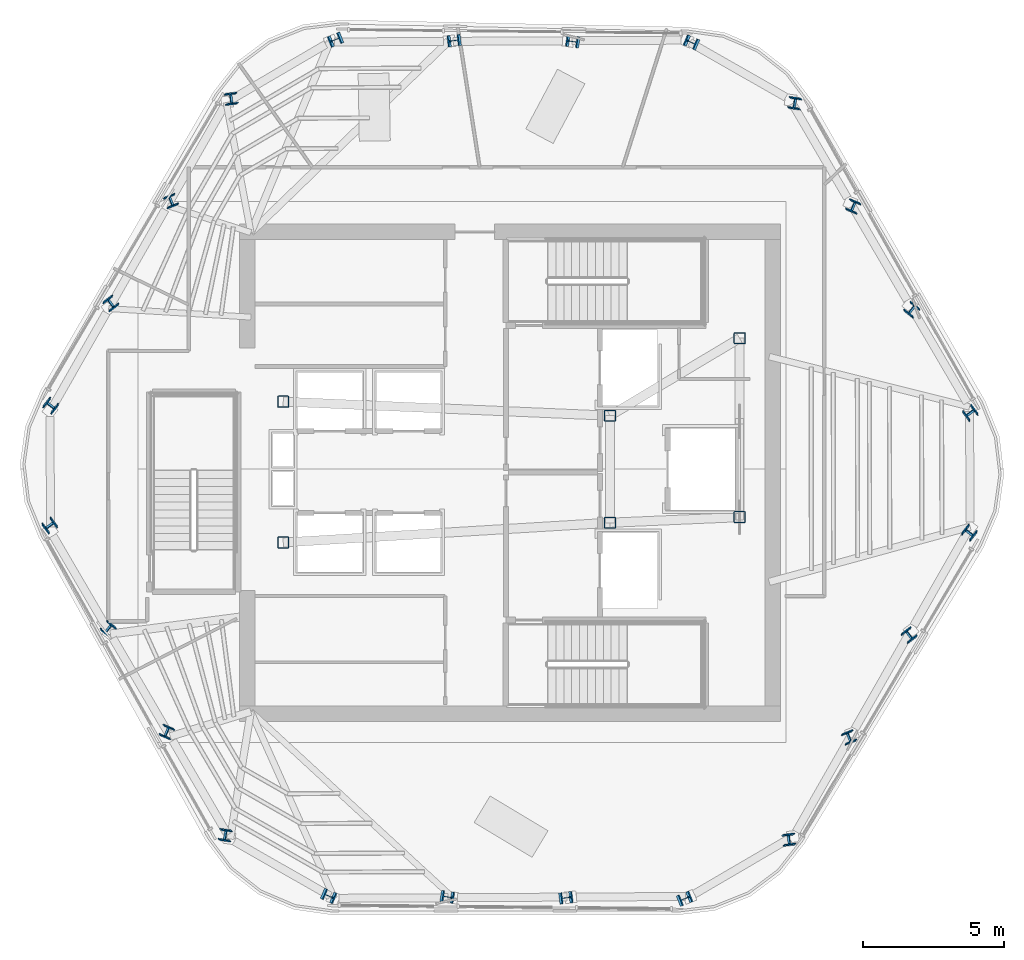
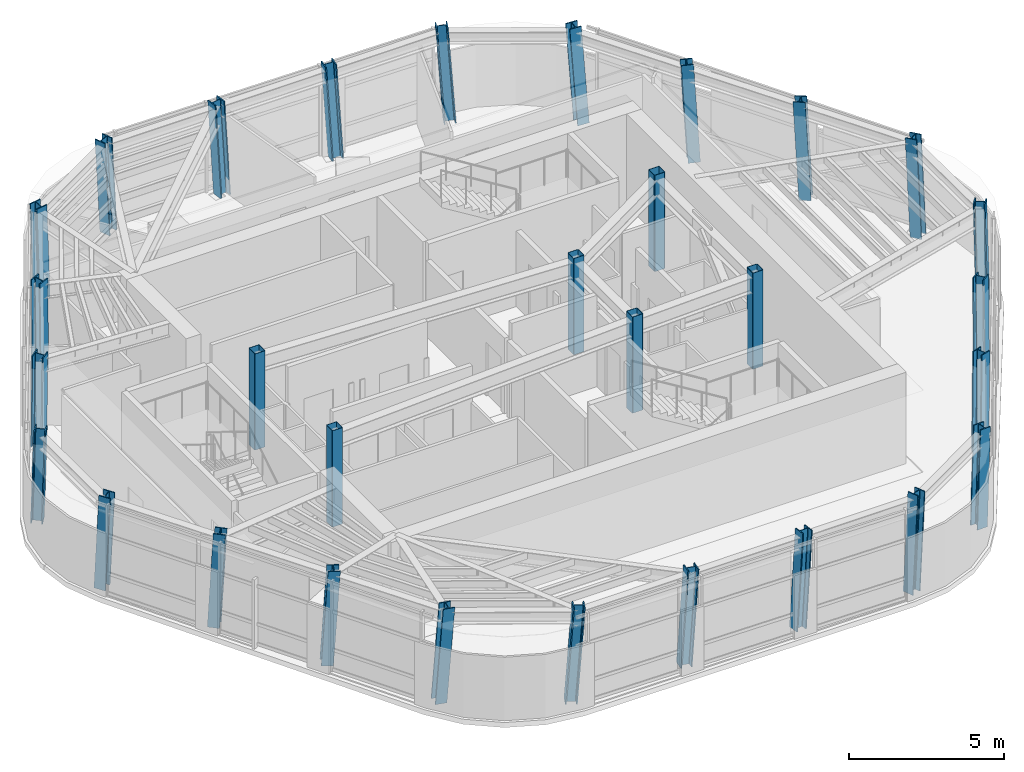
# One storey, part 1 of 13: 30 columns.
"""IFC4 building model written with IfcOpenShell, lengths in metres."""

from ifc_helpers import new_model, si_unit, direction, frame, origin, origin_2d, place, context, subcontext, project, spatial, hollow_rectangle, i_section, extrude, material, material_profile, profile_set, type_object, element, save


model = new_model("IFC4")

# Units and contexts
model_context = context("Model", 3, precision=1e-05, world=origin(), true_north=direction((0.0, 1.0)))
body_context = subcontext(model_context, "Body", "Model", "MODEL_VIEW")
ifc_project = project(units=[si_unit("LENGTHUNIT", "METRE"), si_unit("AREAUNIT", "SQUARE_METRE"), si_unit("VOLUMEUNIT", "CUBIC_METRE"), si_unit("PLANEANGLEUNIT", "RADIAN"), si_unit("MASSUNIT", "GRAM", prefix="KILO")], contexts=[model_context])

# Site, building, storey
site_placement = place(None, origin())
site = spatial("IfcSite", under=ifc_project, at=site_placement, CompositionType="ELEMENT")
building_placement = place(site_placement, origin())
building = spatial("IfcBuilding", under=site, at=building_placement, Name="Valkerne Bourse Tower", CompositionType="ELEMENT")
storey_placement = place(building_placement, frame((0.0, 0.0, 281.199951171875)))
storey = spatial("IfcBuildingStorey", under=building, at=storey_placement, Name="L71", CompositionType="ELEMENT", Elevation=281.199951171875)

# Columns
ifc_material_1 = material(Name="Steel ASTM A500 Grade C", Category="steel")
ifc_material_profile_1 = material_profile(ifc_material_1, hollow_rectangle(XDim=0.39990234375, YDim=0.39990234375, WallThickness=0.01611328125, OuterFilletRadius=0.031982421875, at=origin_2d()), Name="HSS400X400X16")
ifc_profile_set_1 = profile_set([ifc_material_profile_1], Name="Steel ASTM A500 Grade C")
column_type_1 = type_object("IfcColumnType", Name="COL-HSS400X400X16", PredefinedType="COLUMN", material=ifc_profile_set_1)
for number, where, z_axis, x_axis, name in (
    (1, (38.75, 24.39990234375, 0.005126953125), (0.0, 0.0, 1.0), (1.0, 0.0, 0.0), "L71 Core Frame Column CC-SW"),
    (2, (38.75, 29.39990234375, 0.005126953125), (0.0, 0.0, 1.0), (1.0, 0.0, 0.0), "L71 Core Frame Column CC-NW"),
    (3, (50.35009765625, 25.10009765625, 0.005126953125), (0.0, 0.0, 1.0), (1.0, 0.0, 0.0), "L71 Core Frame Column CC-CE1"),
    (4, (50.35009765625, 28.89990234375, 0.005126953125), (0.0, 0.0, 1.0), (1.0, 0.0, 0.0), "L71 Core Frame Column CC-CE2"),
    (5, (54.949951171875, 25.300048828125, 0.005126953125), (0.0, 0.0, 1.0), (1.0, 0.0, 0.0), "L71 Core Frame Column CC-SE"),
    (6, (54.949951171875, 31.64990234375, 0.005126953125), (0.0, 0.0, 1.0), (1.0, 0.0, 0.0), "L71 Core Frame Column CC-NE"),
):
    element("IfcColumn", number, at=place(storey_placement, frame(where, z_axis=z_axis, x_axis=x_axis)), inside=storey, type_object=column_type_1, Name=name, PredefinedType="COLUMN", context=body_context, shape_type="SweptSolid", body=[
        extrude(hollow_rectangle(XDim=0.39990234375, YDim=0.39990234375, WallThickness=0.01611328125, OuterFilletRadius=0.031982421875, at=origin_2d()), origin(), (0.0, 0.0, 1.0), 3.794921875),
    ])
ifc_material_2 = material(Name="Steel ASTM A913 Grade 65", Category="steel")
ifc_material_profile_2 = material_profile(ifc_material_2, i_section(OverallWidth=0.4013671875, OverallDepth=0.398681640625, WebThickness=0.02490234375, FlangeThickness=0.03955078125, FilletRadius=0.025390625, at=origin_2d()), Name="W14X211")
ifc_profile_set_2 = profile_set([ifc_material_profile_2], Name="Steel ASTM A913 Grade 65")
column_type_2 = type_object("IfcColumnType", Name="COL-W14X211", PredefinedType="COLUMN", material=ifc_profile_set_2)
column_1_placement = place(storey_placement, frame((53.27685546875, 42.1318359375, 0.010009765625), z_axis=(-0.062938153161, 0.026347701784, 0.997669578311), x_axis=(0.395772608164, 0.918348262982, 0.00071449594)))
element("IfcColumn", 7, at=column_1_placement, inside=storey, type_object=column_type_2, Name="L71 Helical Perimeter Tube Column F1-C1", PredefinedType="COLUMN", context=body_context, shape_type="SweptSolid", body=[
    extrude(i_section(OverallWidth=0.4013671875, OverallDepth=0.398681640625, WebThickness=0.02490234375, FlangeThickness=0.03955078125, FilletRadius=0.025390625, at=origin_2d()), origin(), (0.0, 0.0, 1.0), 3.789794921875),
])
for number, where, z_axis, x_axis, name in (
    (8, (49.06494140625, 42.17578125, 0.010009765625), (-0.062957484736, 0.008957103765, 0.997976014445), (0.15119254225, 0.988504108097, 0.000665916107), "L71 Helical Perimeter Tube Column F1-C2"),
    (9, (44.853271484375, 42.219970703125, 0.010009765625), (-0.063021882068, -0.008570460445, 0.997975345181), (-0.124388840847, 0.992233325726, 0.000666026085), "L71 Helical Perimeter Tube Column F1-C3"),
):
    element("IfcColumn", number, at=place(storey_placement, frame(where, z_axis=z_axis, x_axis=x_axis)), inside=storey, type_object=column_type_2, Name=name, PredefinedType="COLUMN", context=body_context, shape_type="SweptSolid", body=[
        extrude(i_section(OverallWidth=0.4013671875, OverallDepth=0.398681640625, WebThickness=0.02490234375, FlangeThickness=0.03955078125, FilletRadius=0.025390625, at=origin_2d()), origin(), (0.0, 0.0, 1.0), 3.78857421875),
    ])
for number, where, z_axis, x_axis, name in (
    (10, (40.6416015625, 42.26416015625, 0.010009765625), (-0.063067012801, -0.026025611003, 0.99766989504), (-0.371783726841, 0.928319099244, 0.000714447441), "L71 Helical Perimeter Tube Column F1-C4"),
    (11, (36.933837890625, 40.175048828125, 0.010009765625), (-0.054241555737, -0.041357575752, 0.997670990136), (-0.991526633935, -0.115878962731, -0.058711159027), "L71 Helical Perimeter Tube Column F2-C1"),
):
    element("IfcColumn", number, at=place(storey_placement, frame(where, z_axis=z_axis, x_axis=x_axis)), inside=storey, type_object=column_type_2, Name=name, PredefinedType="COLUMN", context=body_context, shape_type="SweptSolid", body=[
        extrude(i_section(OverallWidth=0.4013671875, OverallDepth=0.398681640625, WebThickness=0.02490234375, FlangeThickness=0.03955078125, FilletRadius=0.025390625, at=origin_2d()), origin(), (0.0, 0.0, 1.0), 3.789794921875),
    ])
for number, where, z_axis, x_axis, name in (
    (12, (34.789794921875, 36.549560546875, 0.010009765625), (-0.039179184706, -0.050133890955, 0.997973739366), (-0.930028393736, -0.363383832258, -0.054766570988), "L71 Helical Perimeter Tube Column F2-C2"),
    (13, (32.645751953125, 32.924072265625, 0.010009765625), (-0.024100337538, -0.058897616335, 0.997973068034), (-0.796437662052, -0.602234738648, -0.054775633546), "L71 Helical Perimeter Tube Column F2-C3"),
):
    element("IfcColumn", number, at=place(storey_placement, frame(where, z_axis=z_axis, x_axis=x_axis)), inside=storey, type_object=column_type_2, Name=name, PredefinedType="COLUMN", context=body_context, shape_type="SweptSolid", body=[
        extrude(i_section(OverallWidth=0.4013671875, OverallDepth=0.398681640625, WebThickness=0.02490234375, FlangeThickness=0.03955078125, FilletRadius=0.025390625, at=origin_2d()), origin(), (0.0, 0.0, 1.0), 3.78857421875),
    ])
for number, where, z_axis, x_axis, name in (
    (14, (30.501708984375, 29.298583984375, 0.010009765625), (-0.0090187678, -0.067640758499, 0.997668977977), (-0.618069747795, -0.783925897065, -0.058736485866), "L71 Helical Perimeter Tube Column F2-C4"),
    (15, (30.45703125, 25.043212890625, 0.010009765625), (0.008696655849, -0.067705076277, 0.997667475075), (0.597639249601, -0.799556515229, -0.059470213482), "L71 Helical Perimeter Tube Column F3-C1"),
):
    element("IfcColumn", number, at=place(storey_placement, frame(where, z_axis=z_axis, x_axis=x_axis)), inside=storey, type_object=column_type_2, Name=name, PredefinedType="COLUMN", context=body_context, shape_type="SweptSolid", body=[
        extrude(i_section(OverallWidth=0.4013671875, OverallDepth=0.398681640625, WebThickness=0.02490234375, FlangeThickness=0.03955078125, FilletRadius=0.025390625, at=origin_2d()), origin(), (0.0, 0.0, 1.0), 3.789794921875),
    ])
for number, where, z_axis, x_axis, name in (
    (16, (32.52490234375, 21.373779296875, 0.010009765625), (0.023778143227, -0.059026501886, 0.997973181994), (0.780222945354, -0.623039733154, -0.055440476684), "L71 Helical Perimeter Tube Column F3-C2"),
    (17, (34.592529296875, 17.7041015625, 0.010009765625), (0.03892144073, -0.050327227169, 0.99797409368), (0.920222418375, -0.387451203927, -0.055428019046), "L71 Helical Perimeter Tube Column F3-C3"),
):
    element("IfcColumn", number, at=place(storey_placement, frame(where, z_axis=z_axis, x_axis=x_axis)), inside=storey, type_object=column_type_2, Name=name, PredefinedType="COLUMN", context=body_context, shape_type="SweptSolid", body=[
        extrude(i_section(OverallWidth=0.4013671875, OverallDepth=0.398681640625, WebThickness=0.02490234375, FlangeThickness=0.03955078125, FilletRadius=0.025390625, at=origin_2d()), origin(), (0.0, 0.0, 1.0), 3.78857421875),
    ])
for number, where, z_axis, x_axis, name in (
    (18, (36.66015625, 14.034423828125, 0.010009765625), (0.054048428597, -0.04155093736, 0.997673437038), (0.988288204658, -0.140565812269, -0.059394250185), "L71 Helical Perimeter Tube Column F3-C4"),
    (19, (40.3232421875, 11.8681640625, 0.010009765625), (0.062938153161, -0.026347701784, 0.997669578311), (0.395772608164, 0.918348262982, -0.00071449594), "L71 Helical Perimeter Tube Column F4-C1"),
):
    element("IfcColumn", number, at=place(storey_placement, frame(where, z_axis=z_axis, x_axis=x_axis)), inside=storey, type_object=column_type_2, Name=name, PredefinedType="COLUMN", context=body_context, shape_type="SweptSolid", body=[
        extrude(i_section(OverallWidth=0.4013671875, OverallDepth=0.398681640625, WebThickness=0.02490234375, FlangeThickness=0.03955078125, FilletRadius=0.025390625, at=origin_2d()), origin(), (0.0, 0.0, 1.0), 3.789794921875),
    ])
for number, where, z_axis, x_axis, name in (
    (20, (44.534912109375, 11.82421875, 0.010009765625), (0.063021668525, -0.008957067408, 0.997971963654), (0.151051548507, 0.988525662471, -0.000666581478), "L71 Helical Perimeter Tube Column F4-C2"),
    (21, (48.74658203125, 11.780029296875, 0.010009765625), (0.063086065291, 0.008570425622, 0.997971290254), (-0.124253551923, 0.992250276068, -0.000666692025), "L71 Helical Perimeter Tube Column F4-C3"),
):
    element("IfcColumn", number, at=place(storey_placement, frame(where, z_axis=z_axis, x_axis=x_axis)), inside=storey, type_object=column_type_2, Name=name, PredefinedType="COLUMN", context=body_context, shape_type="SweptSolid", body=[
        extrude(i_section(OverallWidth=0.4013671875, OverallDepth=0.398681640625, WebThickness=0.02490234375, FlangeThickness=0.03955078125, FilletRadius=0.025390625, at=origin_2d()), origin(), (0.0, 0.0, 1.0), 3.78857421875),
    ])
for number, where, z_axis, x_axis, name in (
    (22, (52.95849609375, 11.73583984375, 0.010009765625), (0.063067012801, 0.026025611003, 0.99766989504), (-0.371783726841, 0.928319099244, -0.000714447441), "L71 Helical Perimeter Tube Column F4-C4"),
    (23, (56.666015625, 13.824951171875, 0.010009765625), (0.054305785767, 0.041357431154, 0.997667501987), (-0.991590389856, -0.115309765497, 0.058755057022), "L71 Helical Perimeter Tube Column F5-C1"),
):
    element("IfcColumn", number, at=place(storey_placement, frame(where, z_axis=z_axis, x_axis=x_axis)), inside=storey, type_object=column_type_2, Name=name, PredefinedType="COLUMN", context=body_context, shape_type="SweptSolid", body=[
        extrude(i_section(OverallWidth=0.4013671875, OverallDepth=0.398681640625, WebThickness=0.02490234375, FlangeThickness=0.03955078125, FilletRadius=0.025390625, at=origin_2d()), origin(), (0.0, 0.0, 1.0), 3.789794921875),
    ])
for number, where, z_axis, x_axis, name in (
    (24, (58.810302734375, 17.450439453125, 0.010009765625), (0.039179184706, 0.050133890955, 0.997973739366), (-0.930028393736, -0.363383832258, 0.054766570988), "L71 Helical Perimeter Tube Column F5-C2"),
    (25, (60.9541015625, 21.075927734375, 0.010009765625), (0.024100337538, 0.058897616335, 0.997973068034), (-0.796437662052, -0.602234738648, 0.054775633546), "L71 Helical Perimeter Tube Column F5-C3"),
):
    element("IfcColumn", number, at=place(storey_placement, frame(where, z_axis=z_axis, x_axis=x_axis)), inside=storey, type_object=column_type_2, Name=name, PredefinedType="COLUMN", context=body_context, shape_type="SweptSolid", body=[
        extrude(i_section(OverallWidth=0.4013671875, OverallDepth=0.398681640625, WebThickness=0.02490234375, FlangeThickness=0.03955078125, FilletRadius=0.025390625, at=origin_2d()), origin(), (0.0, 0.0, 1.0), 3.78857421875),
    ])
for number, where, z_axis, x_axis, name in (
    (26, (63.098388671875, 24.701416015625, 0.010009765625), (0.008954353214, 0.067640797657, 0.99766955554), (-0.617335896047, -0.784504474488, 0.058729217264), "L71 Helical Perimeter Tube Column F5-C4"),
    (27, (63.142822265625, 28.956787109375, 0.010009765625), (-0.008632240994, 0.067705114068, 0.997668031935), (0.596890549693, -0.800116122042, 0.059463122485), "L71 Helical Perimeter Tube Column F6-C1"),
):
    element("IfcColumn", number, at=place(storey_placement, frame(where, z_axis=z_axis, x_axis=x_axis)), inside=storey, type_object=column_type_2, Name=name, PredefinedType="COLUMN", context=body_context, shape_type="SweptSolid", body=[
        extrude(i_section(OverallWidth=0.4013671875, OverallDepth=0.398681640625, WebThickness=0.02490234375, FlangeThickness=0.03955078125, FilletRadius=0.025390625, at=origin_2d()), origin(), (0.0, 0.0, 1.0), 3.789794921875),
    ])
for number, where, z_axis, x_axis, name in (
    (28, (61.0751953125, 32.626220703125, 0.010009765625), (-0.023778143227, 0.059026501886, 0.997973181994), (0.780222945354, -0.623039733154, 0.055440476684), "L71 Helical Perimeter Tube Column F6-C2"),
    (29, (59.007568359375, 36.2958984375, 0.010009765625), (-0.03892144073, 0.050327227169, 0.99797409368), (0.920222418375, -0.387451203927, 0.055428019046), "L71 Helical Perimeter Tube Column F6-C3"),
):
    element("IfcColumn", number, at=place(storey_placement, frame(where, z_axis=z_axis, x_axis=x_axis)), inside=storey, type_object=column_type_2, Name=name, PredefinedType="COLUMN", context=body_context, shape_type="SweptSolid", body=[
        extrude(i_section(OverallWidth=0.4013671875, OverallDepth=0.398681640625, WebThickness=0.02490234375, FlangeThickness=0.03955078125, FilletRadius=0.025390625, at=origin_2d()), origin(), (0.0, 0.0, 1.0), 3.78857421875),
    ])
column_2_placement = place(storey_placement, frame((56.939697265625, 39.965576171875, 0.010009765625), z_axis=(-0.054048428597, 0.04155093736, 0.997673437038), x_axis=(0.988288204658, -0.140565812269, 0.059394250185)))
element("IfcColumn", 30, at=column_2_placement, inside=storey, type_object=column_type_2, Name="L71 Helical Perimeter Tube Column F6-C4", PredefinedType="COLUMN", context=body_context, shape_type="SweptSolid", body=[
    extrude(i_section(OverallWidth=0.4013671875, OverallDepth=0.398681640625, WebThickness=0.02490234375, FlangeThickness=0.03955078125, FilletRadius=0.025390625, at=origin_2d()), origin(), (0.0, 0.0, 1.0), 3.789794921875),
])

save(model, "model.ifc")
